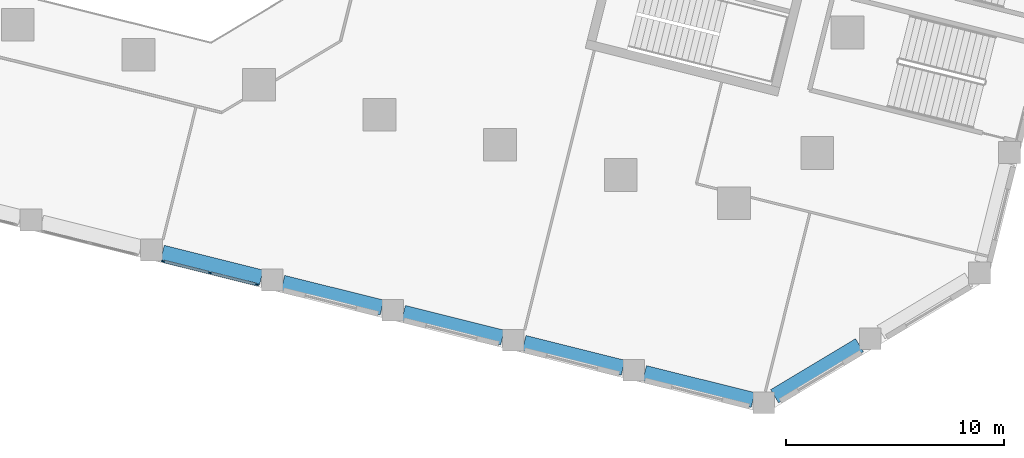
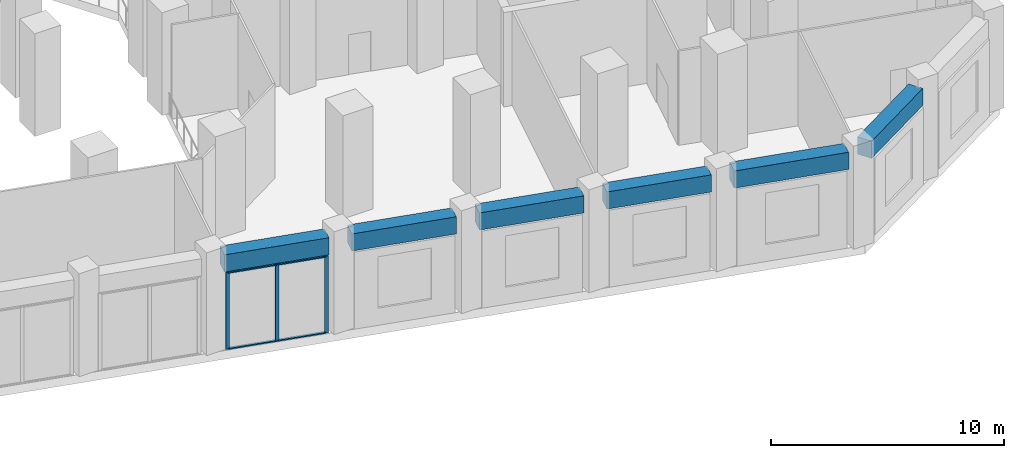
# One storey, part 4 of 23: 7 members, 6 beams, 1 element without a shape of its own.
"""IFC4 building model written with IfcOpenShell, lengths in metres."""

from ifc_helpers import new_model, si_unit, direction, frame, origin, origin_2d, place, context, subcontext, project, spatial, rectangle, extrude, material, material_profile, profile_set, type_object, element, aggregate, save


model = new_model("IFC4")

# Units and contexts
model_context = context("Model", 3, precision=1e-05, world=origin(), true_north=direction((0.0, 1.0)))
body_context = subcontext(model_context, "Body", "Model", "MODEL_VIEW")
ifc_project = project(units=[si_unit("LENGTHUNIT", "METRE"), si_unit("AREAUNIT", "SQUARE_METRE"), si_unit("VOLUMEUNIT", "CUBIC_METRE"), si_unit("PLANEANGLEUNIT", "RADIAN"), si_unit("MASSUNIT", "GRAM", prefix="KILO")], contexts=[model_context])

# Site, building, storey
site_placement = place(None, origin())
site = spatial("IfcSite", under=ifc_project, at=site_placement, CompositionType="ELEMENT")
building_placement = place(site_placement, origin())
building = spatial("IfcBuilding", under=site, at=building_placement, Name="Meshkara Civic Tower", CompositionType="ELEMENT")
storey_placement = place(building_placement, frame((0.0, 0.0, 7.199951171875)))
storey = spatial("IfcBuildingStorey", under=building, at=storey_placement, Name="L01", CompositionType="ELEMENT", Elevation=7.199951171875)

# Curtain wall, members
ifc_material_1 = material(Name="Tinted double glazing", Category="glass")
curtain_wall_type = type_object("IfcCurtainWallType", Name="CW SERVICE HALL FRONT", PredefinedType="NOTDEFINED", material=ifc_material_1)
curtain_wall_placement = place(storey_placement, origin())
curtain_wall = element("IfcCurtainWall", 1, at=curtain_wall_placement, inside=storey, type_object=curtain_wall_type, Name="Curtain wall CW1", PredefinedType="NOTDEFINED")
ifc_material_2 = material(Name="Bronze anodised aluminium", Category="aluminium")
ifc_material_profile_1 = material_profile(ifc_material_2, rectangle(XDim=0.06005859375, YDim=0.159912109375, at=origin_2d()))
ifc_profile_set_1 = profile_set([ifc_material_profile_1], Name="Bronze anodised aluminium")
member_type_1 = type_object("IfcMemberType", Name="CW MULLION 60x160", PredefinedType="MULLION", material=ifc_profile_set_1)
member_1_placement = place(storey_placement, frame((56.7001953125, -22.8662109375, 0.0), z_axis=(0.0, 0.0, 1.0), x_axis=(0.241853732973, 0.970312718585, 0.0)))
member_1 = element("IfcMember", 2, at=member_1_placement, type_object=member_type_1, Name="CW1 mullion 1", PredefinedType="MULLION", context=body_context, shape_type="SweptSolid", body=[
    extrude(rectangle(XDim=0.06005859375, YDim=0.159912109375, at=origin_2d()), origin(), (0.0, 0.0, 1.0), 4.050048828125),
])
member_2_placement = place(storey_placement, frame((58.847412109375, -23.401611328125, 0.0), z_axis=(0.0, 0.0, 1.0), x_axis=(0.241853732973, 0.970312718585, 0.0)))
member_2 = element("IfcMember", 3, at=member_2_placement, type_object=member_type_1, Name="CW1 mullion 2", PredefinedType="MULLION", context=body_context, shape_type="SweptSolid", body=[
    extrude(rectangle(XDim=0.06005859375, YDim=0.159912109375, at=origin_2d()), origin(), (0.0, 0.0, 1.0), 4.050048828125),
])
member_3_placement = place(storey_placement, frame((60.994873046875, -23.936767578125, 0.0), z_axis=(0.0, 0.0, 1.0), x_axis=(0.241853732973, 0.970312718585, 0.0)))
member_3 = element("IfcMember", 4, at=member_3_placement, type_object=member_type_1, Name="CW1 mullion 3", PredefinedType="MULLION", context=body_context, shape_type="SweptSolid", body=[
    extrude(rectangle(XDim=0.06005859375, YDim=0.159912109375, at=origin_2d()), origin(), (0.0, 0.0, 1.0), 4.050048828125),
])
ifc_material_3 = material(Name="Bronze anodised aluminium", Category="aluminium")
ifc_material_profile_2 = material_profile(ifc_material_3, rectangle(XDim=0.1201171875, YDim=0.06005859375, at=origin_2d()))
ifc_profile_set_2 = profile_set([ifc_material_profile_2], Name="Bronze anodised aluminium")
member_type_2 = type_object("IfcMemberType", Name="CW TRANSOM 60x120", PredefinedType="USERDEFINED", material=ifc_profile_set_2)
member_4_placement = place(storey_placement, frame((56.729248046875, -22.87353515625, 0.030029296875), z_axis=(0.970309026133, -0.24186854654, 0.0), x_axis=(0.24186854654, 0.970309026133, 0.0)))
member_4 = element("IfcMember", 5, at=member_4_placement, type_object=member_type_2, Name="CW1 transom 1.1", ObjectType="TRANSOM", PredefinedType="USERDEFINED", context=body_context, shape_type="SweptSolid", body=[
    extrude(rectangle(XDim=0.1201171875, YDim=0.06005859375, at=origin_2d()), origin(), (0.0, 0.0, 1.0), 2.153076171875),
])
member_5_placement = place(storey_placement, frame((56.729248046875, -22.87353515625, 4.02001953125), z_axis=(0.970309026133, -0.24186854654, 0.0), x_axis=(0.24186854654, 0.970309026133, 0.0)))
member_5 = element("IfcMember", 6, at=member_5_placement, type_object=member_type_2, Name="CW1 transom 1.2", ObjectType="TRANSOM", PredefinedType="USERDEFINED", context=body_context, shape_type="SweptSolid", body=[
    extrude(rectangle(XDim=0.1201171875, YDim=0.06005859375, at=origin_2d()), origin(), (0.0, 0.0, 1.0), 2.153076171875),
])
member_6_placement = place(storey_placement, frame((58.876708984375, -23.40869140625, 0.030029296875), z_axis=(0.970309026133, -0.24186854654, 0.0), x_axis=(0.24186854654, 0.970309026133, 0.0)))
member_6 = element("IfcMember", 7, at=member_6_placement, type_object=member_type_2, Name="CW1 transom 2.1", ObjectType="TRANSOM", PredefinedType="USERDEFINED", context=body_context, shape_type="SweptSolid", body=[
    extrude(rectangle(XDim=0.1201171875, YDim=0.06005859375, at=origin_2d()), origin(), (0.0, 0.0, 1.0), 2.153076171875),
])
member_7_placement = place(storey_placement, frame((58.876708984375, -23.40869140625, 4.02001953125), z_axis=(0.970309026133, -0.24186854654, 0.0), x_axis=(0.24186854654, 0.970309026133, 0.0)))
member_7 = element("IfcMember", 8, at=member_7_placement, type_object=member_type_2, Name="CW1 transom 2.2", ObjectType="TRANSOM", PredefinedType="USERDEFINED", context=body_context, shape_type="SweptSolid", body=[
    extrude(rectangle(XDim=0.1201171875, YDim=0.06005859375, at=origin_2d()), origin(), (0.0, 0.0, 1.0), 2.153076171875),
])
aggregate(curtain_wall, [member_1, member_2, member_3, member_4, member_5, member_6, member_7])

# Beams
ifc_material_4 = material(Name="Concrete C60", Category="concrete")
ifc_material_profile_3 = material_profile(ifc_material_4, rectangle(XDim=0.699951171875, YDim=0.89990234375, at=origin_2d()))
ifc_profile_set_3 = profile_set([ifc_material_profile_3], Name="Concrete C60")
beam_type = type_object("IfcBeamType", Name="Spandrel beam RC 700x900 C60", PredefinedType="BEAM", material=ifc_profile_set_3)
beam_1_placement = place(storey_placement, frame((56.6669921875, -22.4765625, 4.5), z_axis=(0.970298839963, -0.241909406941, 0.0), x_axis=(0.241909406941, 0.970298839963, 0.0)))
element("IfcBeam", 9, at=beam_1_placement, inside=storey, type_object=beam_type, Name="Spandrel beam PD04-08-PD04-09", PredefinedType="BEAM", context=body_context, shape_type="SweptSolid", body=[
    extrude(rectangle(XDim=0.699951171875, YDim=0.89990234375, at=origin_2d()), origin(), (0.0, 0.0, 1.0), 4.6787109375),
])
for number, where, z_axis, x_axis, name in (
    (10, (62.197021484375, -23.85546875, 4.5), (0.970298806378, -0.241909541651, 0.0), (0.241909541651, 0.970298806378, 0.0), "Spandrel beam PD04-09-PD04-10"),
    (11, (67.72802734375, -25.234619140625, 4.5), (0.970311050729, -0.24186042428, 0.0), (0.24186042428, 0.970311050729, 0.0), "Spandrel beam PD04-10-PD04-11"),
):
    element("IfcBeam", number, at=place(storey_placement, frame(where, z_axis=z_axis, x_axis=x_axis)), inside=storey, type_object=beam_type, Name=name, PredefinedType="BEAM", context=body_context, shape_type="SweptSolid", body=[
        extrude(rectangle(XDim=0.699951171875, YDim=0.89990234375, at=origin_2d()), origin(), (0.0, 0.0, 1.0), 4.6796875),
    ])
beam_2_placement = place(storey_placement, frame((73.259033203125, -26.613525390625, 4.5), z_axis=(0.970286590806, -0.241958533023, 0.0), x_axis=(0.241958533023, 0.970286590806, 0.0)))
element("IfcBeam", 12, at=beam_2_placement, inside=storey, type_object=beam_type, Name="Spandrel beam PD04-11-PD04-12", PredefinedType="BEAM", context=body_context, shape_type="SweptSolid", body=[
    extrude(rectangle(XDim=0.699951171875, YDim=0.89990234375, at=origin_2d()), origin(), (0.0, 0.0, 1.0), 4.6787109375),
])
beam_3_placement = place(storey_placement, frame((78.7890625, -27.992431640625, 4.5), z_axis=(0.970313224603, -0.241851702828, 0.0), x_axis=(0.241851702828, 0.970313224603, 0.0)))
element("IfcBeam", 13, at=beam_3_placement, inside=storey, type_object=beam_type, Name="Spandrel beam PD04-12-PD04-E", PredefinedType="BEAM", context=body_context, shape_type="SweptSolid", body=[
    extrude(rectangle(XDim=0.699951171875, YDim=0.89990234375, at=origin_2d()), origin(), (0.0, 0.0, 1.0), 5.1240234375),
])
beam_4_placement = place(storey_placement, frame((84.751708984375, -29.05712890625, 4.5), z_axis=(0.857141884297, 0.515080372547, 0.0), x_axis=(-0.515080372547, 0.857141884297, 0.0)))
element("IfcBeam", 14, at=beam_4_placement, inside=storey, type_object=beam_type, Name="Spandrel beam PD04-E-PD05-01", PredefinedType="BEAM", context=body_context, shape_type="SweptSolid", body=[
    extrude(rectangle(XDim=0.699951171875, YDim=0.89990234375, at=origin_2d()), origin(), (0.0, 0.0, 1.0), 4.543701171875),
])

save(model, "model.ifc")
